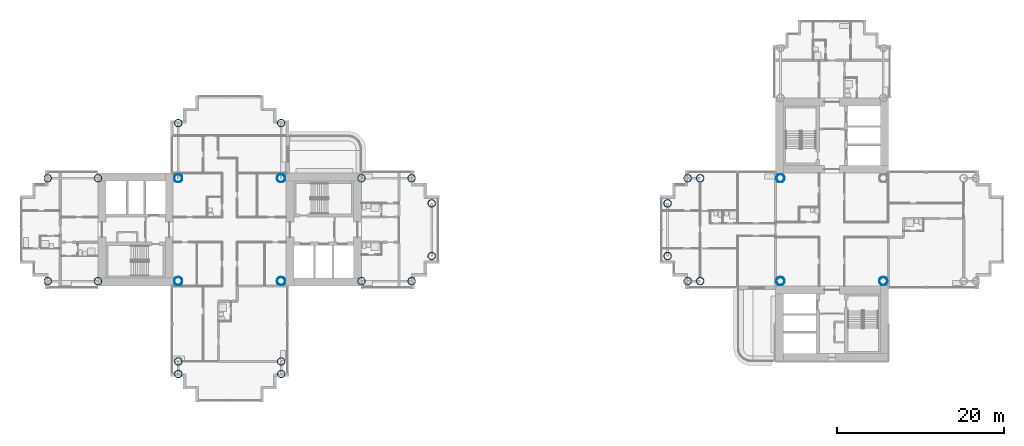
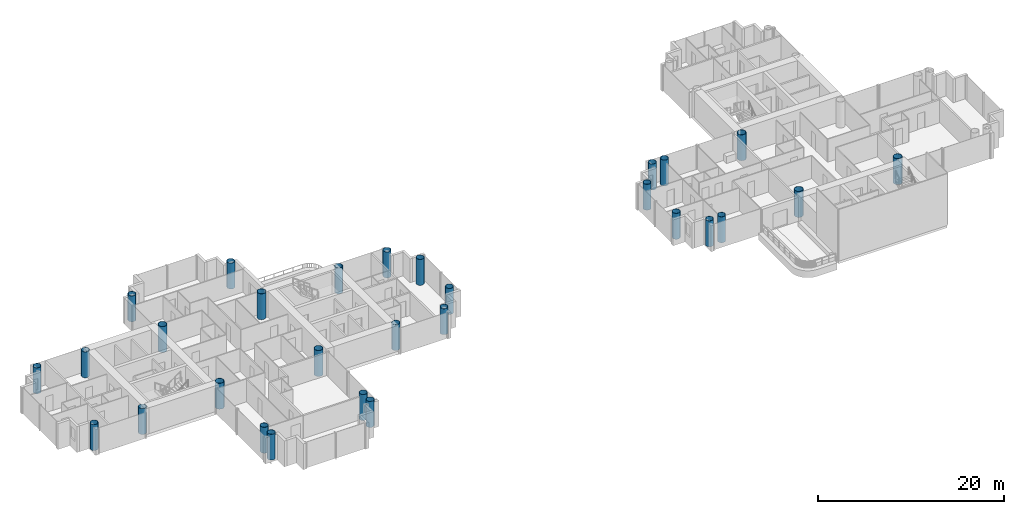
# One storey, part 1 of 22: 29 columns.
"""IFC4 building model written with IfcOpenShell, lengths in metres."""

from ifc_helpers import new_model, si_unit, direction, frame, origin, origin_2d, place, context, subcontext, project, spatial, hollow_circle, extrude, material, material_profile, profile_set, type_object, element, save


model = new_model("IFC4")

# Units and contexts
model_context = context("Model", 3, precision=1e-05, world=origin(), true_north=direction((0.0, 1.0)))
body_context = subcontext(model_context, "Body", "Model", "MODEL_VIEW")
ifc_project = project(units=[si_unit("LENGTHUNIT", "METRE"), si_unit("AREAUNIT", "SQUARE_METRE"), si_unit("VOLUMEUNIT", "CUBIC_METRE"), si_unit("PLANEANGLEUNIT", "RADIAN"), si_unit("MASSUNIT", "GRAM", prefix="KILO")], contexts=[model_context])

# Site, building, storey
site_placement = place(None, origin())
site = spatial("IfcSite", under=ifc_project, at=site_placement, CompositionType="ELEMENT")
building_placement = place(site_placement, origin())
building = spatial("IfcBuilding", under=site, at=building_placement, Name="Ipe Terrace Towers", CompositionType="ELEMENT")
storey_placement = place(building_placement, frame((0.0, 0.0, 110.60009765625)))
storey = spatial("IfcBuildingStorey", under=building, at=storey_placement, Name="L30", CompositionType="ELEMENT", Elevation=110.60009765625)

# Columns
ifc_material_1 = material(Name="Steel S355 tube with Concrete C60/75 fill", Category="concrete")
ifc_material_profile_1 = material_profile(ifc_material_1, hollow_circle(Radius=0.5, WallThickness=0.035888671875, at=origin_2d()), Name="CHS-1000x36")
ifc_profile_set_1 = profile_set([ifc_material_profile_1], Name="Steel S355 tube with Concrete C60/75 fill")
column_type_1 = type_object("IfcColumnType", Name="CH01 COLUMN CHS-1000x36", PredefinedType="COLUMN", material=ifc_profile_set_1)
for number, where, z_axis, x_axis, name in (
    (1, (-42.14990234375, -6.14990234375, 0.0), (0.0, 0.0, 1.0), (1.0, 0.0, 0.0), "Column T1-C-E01"),
    (2, (-29.85009765625, -6.14990234375, 0.0), (0.0, 0.0, 1.0), (1.0, 0.0, 0.0), "Column T1-C-E02"),
    (3, (-29.85009765625, 6.14990234375, 0.0), (0.0, 0.0, 1.0), (1.0, 0.0, 0.0), "Column T1-C-E03"),
    (4, (-42.14990234375, 6.14990234375, 0.0), (0.0, 0.0, 1.0), (1.0, 0.0, 0.0), "Column T1-C-E04"),
    (5, (42.14990234375, -6.14990234375, 0.0), (0.0, 0.0, 1.0), (1.0, 0.0, 0.0), "Column T2-C-E01"),
    (6, (29.85009765625, 6.14990234375, 0.0), (0.0, 0.0, 1.0), (1.0, 0.0, 0.0), "Column T2-C-E03"),
    (7, (29.85009765625, -6.14990234375, 0.0), (0.0, 0.0, 1.0), (1.0, 0.0, 0.0), "Column T2-C-E04"),
):
    element("IfcColumn", number, at=place(storey_placement, frame(where, z_axis=z_axis, x_axis=x_axis)), inside=storey, type_object=column_type_1, Name=name, PredefinedType="COLUMN", context=body_context, shape_type="SweptSolid", body=[
        extrude(hollow_circle(Radius=0.5, WallThickness=0.035888671875, at=origin_2d()), origin(), (0.0, 0.0, 1.0), 3.39990234375),
    ])
ifc_material_2 = material(Name="Steel S355 tube with Concrete C60/75 fill", Category="concrete")
ifc_material_profile_2 = material_profile(ifc_material_2, hollow_circle(Radius=0.449951171875, WallThickness=0.031982421875, at=origin_2d()), Name="CHS-900x32")
ifc_profile_set_2 = profile_set([ifc_material_profile_2], Name="Steel S355 tube with Concrete C60/75 fill")
column_type_2 = type_object("IfcColumnType", Name="CH10 COLUMN CHS-900x32", PredefinedType="COLUMN", material=ifc_profile_set_2)
for number, where, z_axis, x_axis, name in (
    (8, (-20.25, -6.14990234375, 0.0), (0.0, 0.0, 1.0), (1.0, 0.0, 0.0), "Column T1-C-A01"),
    (9, (-20.25, 6.14990234375, 0.0), (0.0, 0.0, 1.0), (1.0, 0.0, 0.0), "Column T1-C-A02"),
    (10, (-14.25, -6.14990234375, 0.0), (0.0, 0.0, 1.0), (1.0, 0.0, 0.0), "Column T1-C-A03"),
    (11, (-14.25, 6.14990234375, 0.0), (0.0, 0.0, 1.0), (1.0, 0.0, 0.0), "Column T1-C-A04"),
    (12, (-11.85009765625, -3.14990234375, 0.0), (0.0, 0.0, 1.0), (1.0, 0.0, 0.0), "Column T1-C-A05"),
    (13, (-11.85009765625, 3.14990234375, 0.0), (0.0, 0.0, 1.0), (1.0, 0.0, 0.0), "Column T1-C-A06"),
    (14, (-29.85009765625, 12.75, 0.0), (0.0, 0.0, 1.0), (1.0, 0.0, 0.0), "Column T1-C-B01"),
    (15, (-42.14990234375, 12.75, 0.0), (0.0, 0.0, 1.0), (1.0, 0.0, 0.0), "Column T1-C-B02"),
    (16, (-51.75, -6.14990234375, 0.0), (0.0, 0.0, 1.0), (1.0, 0.0, 0.0), "Column T1-C-C01"),
    (17, (-51.75, 6.14990234375, 0.0), (0.0, 0.0, 1.0), (1.0, 0.0, 0.0), "Column T1-C-C02"),
    (18, (-57.75, -6.14990234375, 0.0), (0.0, 0.0, 1.0), (1.0, 0.0, 0.0), "Column T1-C-C03"),
    (19, (-57.75, 6.14990234375, 0.0), (0.0, 0.0, 1.0), (1.0, 0.0, 0.0), "Column T1-C-C04"),
    (20, (-42.14990234375, -15.75, 0.0), (0.0, 0.0, 1.0), (1.0, 0.0, 0.0), "Column T1-C-D03"),
    (21, (-29.85009765625, -15.75, 0.0), (0.0, 0.0, 1.0), (1.0, 0.0, 0.0), "Column T1-C-D04"),
    (22, (-42.14990234375, -17.25, 0.0), (0.0, 0.0, 1.0), (1.0, 0.0, 0.0), "Column T1-C-D05"),
    (23, (-29.85009765625, -17.25, 0.0), (0.0, 0.0, 1.0), (1.0, 0.0, 0.0), "Column T1-C-D06"),
    (24, (20.25, 6.14990234375, 0.0), (0.0, 0.0, 1.0), (1.0, 0.0, 0.0), "Column T2-C-B03"),
    (25, (20.25, -6.14990234375, 0.0), (0.0, 0.0, 1.0), (1.0, 0.0, 0.0), "Column T2-C-B04"),
    (26, (18.75, 6.14990234375, 0.0), (0.0, 0.0, 1.0), (1.0, 0.0, 0.0), "Column T2-C-B05"),
    (27, (18.75, -6.14990234375, 0.0), (0.0, 0.0, 1.0), (1.0, 0.0, 0.0), "Column T2-C-B06"),
    (28, (16.35009765625, 3.14990234375, 0.0), (0.0, 0.0, 1.0), (1.0, 0.0, 0.0), "Column T2-C-B07"),
    (29, (16.35009765625, -3.14990234375, 0.0), (0.0, 0.0, 1.0), (1.0, 0.0, 0.0), "Column T2-C-B08"),
):
    element("IfcColumn", number, at=place(storey_placement, frame(where, z_axis=z_axis, x_axis=x_axis)), inside=storey, type_object=column_type_2, Name=name, PredefinedType="COLUMN", context=body_context, shape_type="SweptSolid", body=[
        extrude(hollow_circle(Radius=0.449951171875, WallThickness=0.031982421875, at=origin_2d()), origin(), (0.0, 0.0, 1.0), 3.39990234375),
    ])

save(model, "model.ifc")
